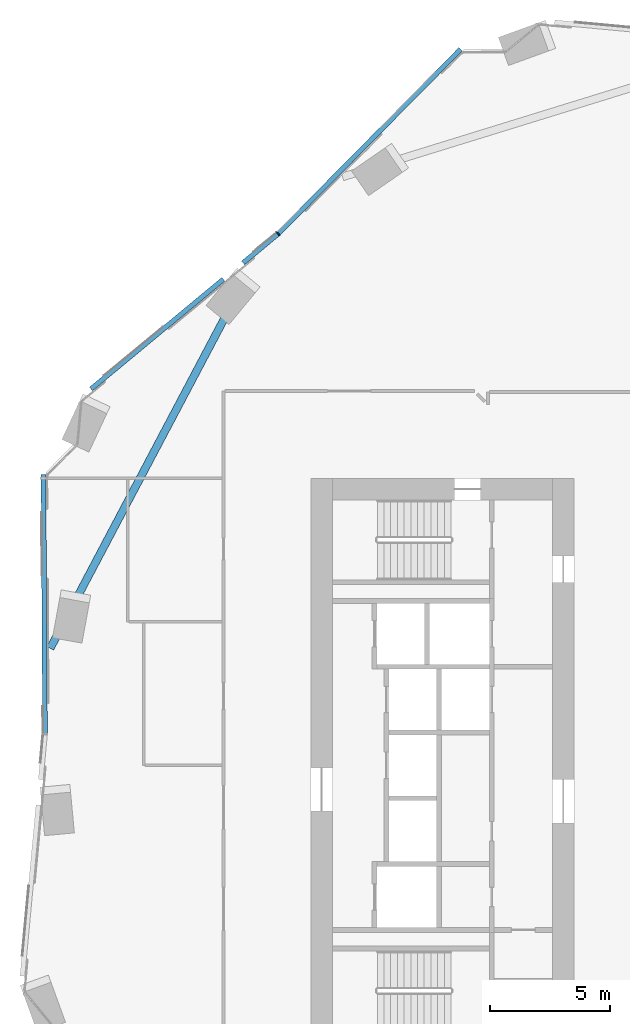
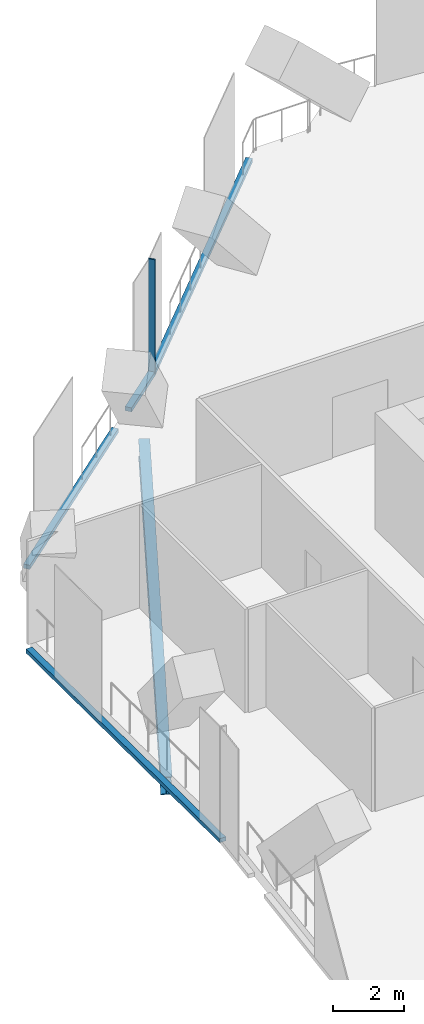
# One storey, part 9 of 29: 5 members, 1 beam, 3 elements without a shape of their own.
"""IFC4 building model written with IfcOpenShell, lengths in metres."""

from ifc_helpers import new_model, si_unit, direction, frame, origin, origin_2d, place, context, subcontext, project, spatial, rectangle, i_section, extrude, material, material_profile, profile_set, type_object, element, aggregate, save


model = new_model("IFC4")

# Units and contexts
model_context = context("Model", 3, precision=1e-05, world=origin(), true_north=direction((0.0, 1.0)))
body_context = subcontext(model_context, "Body", "Model", "MODEL_VIEW")
ifc_project = project(units=[si_unit("LENGTHUNIT", "METRE"), si_unit("AREAUNIT", "SQUARE_METRE"), si_unit("VOLUMEUNIT", "CUBIC_METRE"), si_unit("PLANEANGLEUNIT", "RADIAN"), si_unit("MASSUNIT", "GRAM", prefix="KILO")], contexts=[model_context])

# Site, building, storey
site_placement = place(None, origin())
site = spatial("IfcSite", under=ifc_project, at=site_placement, CompositionType="ELEMENT")
building_placement = place(site_placement, origin())
building = spatial("IfcBuilding", under=site, at=building_placement, Name="Orlundy Tower", CompositionType="ELEMENT")
storey_placement = place(building_placement, frame((0.0, 0.0, 184.60009765625)))
storey = spatial("IfcBuildingStorey", under=building, at=storey_placement, Name="L48", CompositionType="ELEMENT", Elevation=184.60009765625)

# Beam
ifc_material_1 = material(Name="Steel ASTM A992 Gr 50", Category="steel")
ifc_material_profile_1 = material_profile(ifc_material_1, i_section(OverallWidth=0.32373046875, OverallDepth=0.611083984375, WebThickness=0.0126953125, FlangeThickness=0.01904296875, at=origin_2d()), Name="W24X104")
ifc_profile_set_1 = profile_set([ifc_material_profile_1], Name="Steel ASTM A992 Gr 50")
beam_type = type_object("IfcBeamType", Name="CANTILEVER GIRDER beam W24X104", PredefinedType="BEAM", material=ifc_profile_set_1)
beam_placement = place(storey_placement, frame((-29.887451171875, 4.894287109375, -0.7255859375), z_axis=(0.466896897942, 0.884311758766, 0.0), x_axis=(-0.884311758766, 0.466896897942, 0.0)))
element("IfcBeam", 1, at=beam_placement, inside=storey, type_object=beam_type, Name="Cantilever girder C-H18 L48", PredefinedType="BEAM", context=body_context, shape_type="SweptSolid", body=[
    extrude(i_section(OverallWidth=0.32373046875, OverallDepth=0.611083984375, WebThickness=0.0126953125, FlangeThickness=0.01904296875, at=origin_2d()), origin(), (0.0, 0.0, 1.0), 16.64697265625),
])

# Curtain wall, member
ifc_material_2 = material(Name="Aluminium bronze anodised", Category="aluminium")
curtain_wall_type = type_object("IfcCurtainWallType", Name="CW5 wall", PredefinedType="NOTDEFINED", material=ifc_material_2)
curtain_wall_1_placement = place(storey_placement, origin())
curtain_wall_1 = element("IfcCurtainWall", 2, at=curtain_wall_1_placement, inside=storey, type_object=curtain_wall_type, Name="CW5 run 08", PredefinedType="NOTDEFINED")
ifc_material_3 = material(Name="Aluminium bronze anodised", Category="aluminium")
ifc_material_profile_2 = material_profile(ifc_material_3, rectangle(XDim=0.199951171875, YDim=0.050048828125, at=origin_2d()), Name="CW5 mullion 50x200")
ifc_profile_set_2 = profile_set([ifc_material_profile_2], Name="Aluminium bronze anodised")
member_type_1 = type_object("IfcMemberType", Name="CW5 mullion 50x200", PredefinedType="MULLION", material=ifc_profile_set_2)
member_1_placement = place(storey_placement, frame((-20.362548828125, 22.216796875, -0.420166015625), z_axis=(0.0, 0.0, 1.0), x_axis=(-0.675585222698, 0.737281904615, 0.0)))
member_1 = element("IfcMember", 3, at=member_1_placement, type_object=member_type_1, Name="CW5 mullion 13", PredefinedType="MULLION", context=body_context, shape_type="SweptSolid", body=[
    extrude(rectangle(XDim=0.199951171875, YDim=0.050048828125, at=origin_2d()), origin(), (0.0, 0.0, 1.0), 4.0),
])

curtain_wall_2_placement = place(storey_placement, origin())
curtain_wall_2 = element("IfcCurtainWall", 4, at=curtain_wall_2_placement, inside=storey, type_object=curtain_wall_type, Name="CW5 run 04", PredefinedType="NOTDEFINED")
ifc_material_4 = material(Name="Aluminium bronze anodised", Category="aluminium")
ifc_material_profile_3 = material_profile(ifc_material_4, rectangle(XDim=0.199951171875, YDim=0.139892578125, at=origin_2d()), Name="CW5 transom 200x140")
ifc_profile_set_3 = profile_set([ifc_material_profile_3], Name="Aluminium bronze anodised")
member_type_2 = type_object("IfcMemberType", Name="CW5 transom 200x140", PredefinedType="USERDEFINED", material=ifc_profile_set_3)
member_2_placement = place(storey_placement, frame((-30.108154296875, 1.33837890625, -0.35009765625), z_axis=(-0.005847721192, 0.999982901932, 0.0), x_axis=(-0.999982901932, -0.005847721192, 0.0)))
member_2 = element("IfcMember", 5, at=member_2_placement, type_object=member_type_2, Name="CW5 transom", ObjectType="TRANSOM", PredefinedType="USERDEFINED", context=body_context, shape_type="SweptSolid", body=[
    extrude(rectangle(XDim=0.199951171875, YDim=0.139892578125, at=origin_2d()), origin(), (0.0, 0.0, 1.0), 10.813232421875),
])
aggregate(curtain_wall_2, [member_2])

# Curtain wall, members
curtain_wall_3_placement = place(storey_placement, origin())
curtain_wall_3 = element("IfcCurtainWall", 6, at=curtain_wall_3_placement, inside=storey, type_object=curtain_wall_type, Name="CW5 run 07", PredefinedType="NOTDEFINED")
member_3_placement = place(storey_placement, frame((-28.185791015625, 15.729736328125, -0.35009765625), z_axis=(0.769770585935, 0.63832064437, 0.0), x_axis=(-0.63832064437, 0.769770585935, 0.0)))
member_3 = element("IfcMember", 7, at=member_3_placement, type_object=member_type_2, Name="CW5 transom", ObjectType="TRANSOM", PredefinedType="USERDEFINED", context=body_context, shape_type="SweptSolid", body=[
    extrude(rectangle(XDim=0.199951171875, YDim=0.139892578125, at=origin_2d()), origin(), (0.0, 0.0, 1.0), 7.18408203125),
])
member_4_placement = place(storey_placement, frame((-21.82958984375, 21.00048828125, -0.35009765625), z_axis=(0.769793741389, 0.638292719462, 0.0), x_axis=(-0.638292719462, 0.769793741389, 0.0)))
member_4 = element("IfcMember", 8, at=member_4_placement, type_object=member_type_2, Name="CW5 transom", ObjectType="TRANSOM", PredefinedType="USERDEFINED", context=body_context, shape_type="SweptSolid", body=[
    extrude(rectangle(XDim=0.199951171875, YDim=0.139892578125, at=origin_2d()), origin(), (0.0, 0.0, 1.0), 1.880615234375),
])
aggregate(curtain_wall_3, [member_3, member_4])

# Member
member_5_placement = place(storey_placement, frame((-20.344970703125, 22.234619140625, -0.35009765625), z_axis=(0.702974903698, 0.711214654496, 0.0), x_axis=(-0.711214654496, 0.702974903698, 0.0)))
member_5 = element("IfcMember", 9, at=member_5_placement, type_object=member_type_2, Name="CW5 transom", ObjectType="TRANSOM", PredefinedType="USERDEFINED", context=body_context, shape_type="SweptSolid", body=[
    extrude(rectangle(XDim=0.199951171875, YDim=0.139892578125, at=origin_2d()), origin(), (0.0, 0.0, 1.0), 10.814697265625),
])

aggregate(curtain_wall_1, [member_1, member_5])

save(model, "model.ifc")
